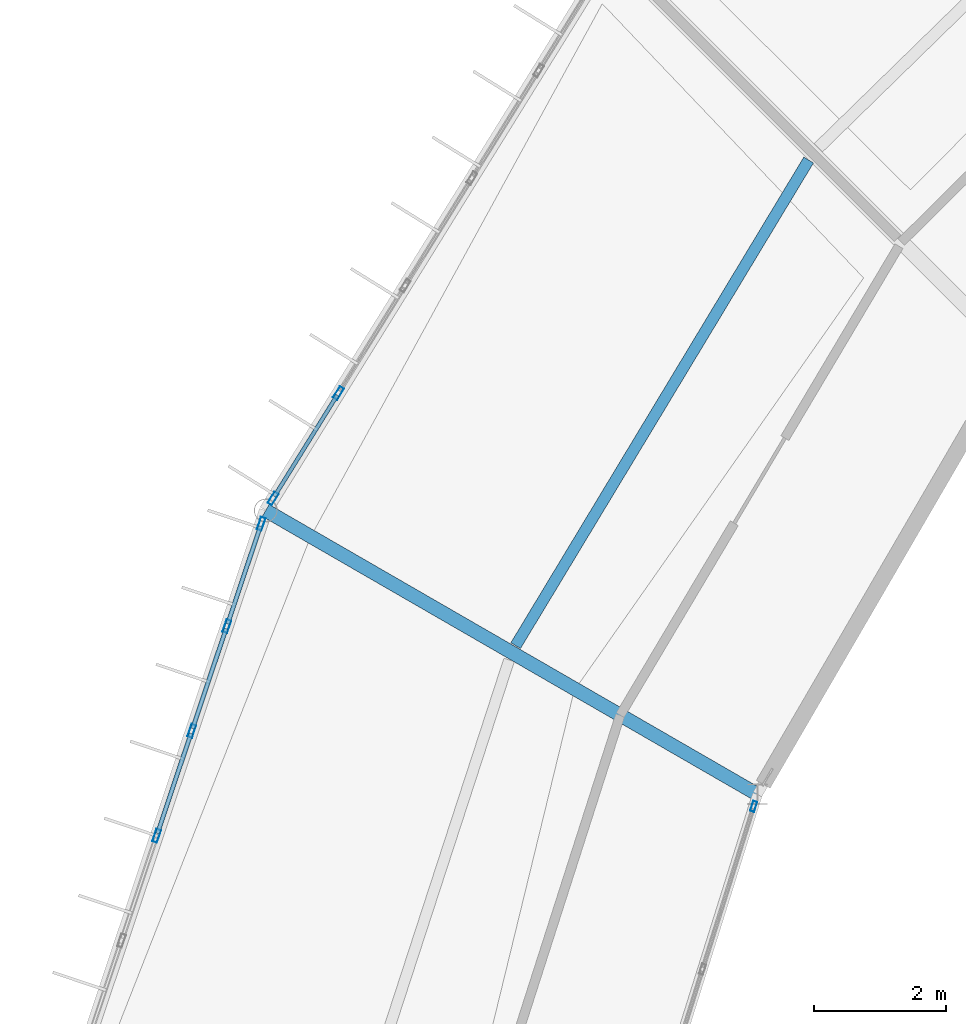
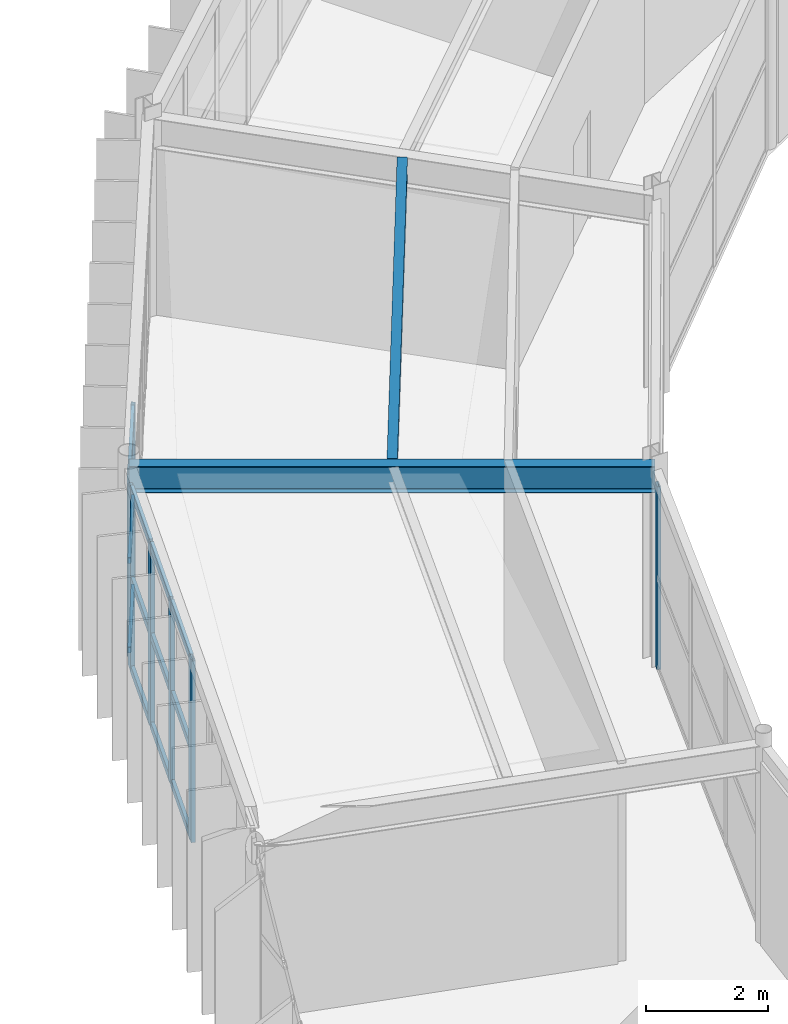
# One storey, part 73 of 147: 19 members, 2 beams, 3 elements without a shape of their own.
"""IFC4 building model written with IfcOpenShell, lengths in metres."""

from ifc_helpers import new_model, si_unit, direction, frame, origin, origin_2d, place, context, subcontext, project, spatial, hollow_rectangle, i_section, extrude, material, material_profile, profile_set, type_object, element, aggregate, save


model = new_model("IFC4")

# Units and contexts
model_context = context("Model", 3, precision=1e-05, world=origin(), true_north=direction((0.0, 1.0)))
body_context = subcontext(model_context, "Body", "Model", "MODEL_VIEW")
ifc_project = project(units=[si_unit("LENGTHUNIT", "METRE"), si_unit("AREAUNIT", "SQUARE_METRE"), si_unit("VOLUMEUNIT", "CUBIC_METRE"), si_unit("PLANEANGLEUNIT", "RADIAN"), si_unit("MASSUNIT", "GRAM", prefix="KILO")], contexts=[model_context])

# Site, building, storey
site_placement = place(None, origin())
site = spatial("IfcSite", under=ifc_project, at=site_placement, CompositionType="ELEMENT")
building_placement = place(site_placement, origin())
building = spatial("IfcBuilding", under=site, at=building_placement, Name="Karori Crest Natural Sciences Institute", CompositionType="ELEMENT")
storey_placement = place(building_placement, frame((0.0, 0.0, 9.10009765625)))
storey = spatial("IfcBuildingStorey", under=building, at=storey_placement, Name="L02", CompositionType="ELEMENT", Elevation=9.10009765625)

# Beams
ifc_material_1 = material(Name="Structural steel AS/NZS 3679.1 Grade 350", Category="steel")
ifc_material_profile_1 = material_profile(ifc_material_1, i_section(OverallWidth=0.208984375, OverallDepth=0.532958984375, WebThickness=0.01025390625, FlangeThickness=0.015625, FilletRadius=0.013916015625, at=origin_2d()), Name="530UB92.4")
ifc_profile_set_1 = profile_set([ifc_material_profile_1], Name="Structural steel AS/NZS 3679.1 Grade 350")
beam_type_1 = type_object("IfcBeamType", Name="BT-05", PredefinedType="BEAM", material=ifc_profile_set_1)
beam_1_placement = place(storey_placement, frame((45.26904296875, 66.0, 3.67333984375), z_axis=(-0.866021068297, 0.500007509209, 0.0), x_axis=(-0.500007509209, -0.866021068297, 0.0)))
element("IfcBeam", 1, at=beam_1_placement, inside=storey, type_object=beam_type_1, Name="Beam B-0311", PredefinedType="BEAM", context=body_context, shape_type="SweptSolid", body=[
    extrude(i_section(OverallWidth=0.208984375, OverallDepth=0.532958984375, WebThickness=0.01025390625, FlangeThickness=0.015625, FilletRadius=0.013916015625, at=origin_2d()), origin(), (0.0, 0.0, 1.0), 8.599853515625),
])
ifc_material_profile_2 = material_profile(ifc_material_1, i_section(OverallWidth=0.1708984375, OverallDepth=0.35595703125, WebThickness=0.00732421875, FlangeThickness=0.011474609375, FilletRadius=0.010986328125, at=origin_2d()), Name="360UB50.7")
ifc_profile_set_2 = profile_set([ifc_material_profile_2], Name="Structural steel AS/NZS 3679.1 Grade 350")
beam_type_2 = type_object("IfcBeamType", Name="BT-30", PredefinedType="BEAM", material=ifc_profile_set_2)
beam_2_placement = place(storey_placement, frame((46.044189453125, 75.606689453125, 3.761962890625), z_axis=(-0.516601017309, -0.856226248672, 0.0), x_axis=(0.856226248672, -0.516601017309, 0.0)))
element("IfcBeam", 2, at=beam_2_placement, inside=storey, type_object=beam_type_2, Name="Beam B-0308", PredefinedType="BEAM", context=body_context, shape_type="SweptSolid", body=[
    extrude(i_section(OverallWidth=0.1708984375, OverallDepth=0.35595703125, WebThickness=0.00732421875, FlangeThickness=0.011474609375, FilletRadius=0.010986328125, at=origin_2d()), origin(), (0.0, 0.0, 1.0), 8.5888671875),
])

# Curtain wall, member
ifc_material_2 = material(Name="Anodised architectural aluminium 6063-T6", Category="aluminium")
curtain_wall_type_1 = type_object("IfcCurtainWallType", Name="CWT-11", PredefinedType="NOTDEFINED", material=ifc_material_2)
curtain_wall_1_placement = place(storey_placement, origin())
curtain_wall_1 = element("IfcCurtainWall", 3, at=curtain_wall_1_placement, inside=storey, type_object=curtain_wall_type_1, Name="Curtain wall CW-0081", PredefinedType="NOTDEFINED")
ifc_material_profile_3 = material_profile(ifc_material_2, hollow_rectangle(XDim=0.06494140625, YDim=0.159912109375, WallThickness=0.00390625, at=origin_2d()), Name="CWM160x65x4")
ifc_profile_set_3 = profile_set([ifc_material_profile_3], Name="Anodised architectural aluminium 6063-T6")
member_type_1 = type_object("IfcMemberType", Name="CWM-01", PredefinedType="MULLION", material=ifc_profile_set_3)
member_1_placement = place(storey_placement, frame((45.211669921875, 65.81689453125, 0.0), z_axis=(0.0, 0.0, 1.0), x_axis=(0.954103649609, -0.2994765864, 0.0)))
member_1 = element("IfcMember", 4, at=member_1_placement, type_object=member_type_1, Name="CW-0081 mullion 1", PredefinedType="MULLION", context=body_context, shape_type="SweptSolid", body=[
    extrude(hollow_rectangle(XDim=0.06494140625, YDim=0.159912109375, WallThickness=0.00390625, at=origin_2d()), origin(), (0.0, 0.0, 1.0), 3.64990234375),
])
aggregate(curtain_wall_1, [member_1])

# Curtain wall, members
curtain_wall_type_2 = type_object("IfcCurtainWallType", Name="CWT-10", PredefinedType="NOTDEFINED", material=ifc_material_2)
curtain_wall_2_placement = place(storey_placement, origin())
curtain_wall_2 = element("IfcCurtainWall", 5, at=curtain_wall_2_placement, inside=storey, type_object=curtain_wall_type_2, Name="Curtain wall CW-0079", PredefinedType="NOTDEFINED")
ifc_material_profile_4 = material_profile(ifc_material_2, hollow_rectangle(XDim=0.074951171875, YDim=0.199951171875, WallThickness=0.0048828125, at=origin_2d()), Name="CWM200x75x5")
ifc_profile_set_4 = profile_set([ifc_material_profile_4], Name="Anodised architectural aluminium 6063-T6")
member_type_2 = type_object("IfcMemberType", Name="CWM-02", PredefinedType="MULLION", material=ifc_profile_set_4)
member_2_placement = place(storey_placement, frame((37.93359375, 70.481201171875, 0.0), z_axis=(0.0, 0.0, 1.0), x_axis=(-0.849662102168, 0.527327518853, 0.0)))
member_2 = element("IfcMember", 6, at=member_2_placement, type_object=member_type_2, Name="CW-0079 mullion 1", PredefinedType="MULLION", context=body_context, shape_type="SweptSolid", body=[
    extrude(hollow_rectangle(XDim=0.074951171875, YDim=0.199951171875, WallThickness=0.0048828125, at=origin_2d()), origin(), (0.0, 0.0, 1.0), 3.625),
])
member_3_placement = place(storey_placement, frame((38.924072265625, 72.0771484375, 0.0), z_axis=(0.0, 0.0, 1.0), x_axis=(-0.849662102168, 0.527327518853, 0.0)))
member_3 = element("IfcMember", 7, at=member_3_placement, type_object=member_type_2, Name="CW-0079 mullion 2", PredefinedType="MULLION", context=body_context, shape_type="SweptSolid", body=[
    extrude(hollow_rectangle(XDim=0.074951171875, YDim=0.199951171875, WallThickness=0.0048828125, at=origin_2d()), origin(), (0.0, 0.0, 1.0), 3.625),
])

curtain_wall_type_3 = type_object("IfcCurtainWallType", Name="CWT-01", PredefinedType="NOTDEFINED", material=ifc_material_2)
curtain_wall_3_placement = place(storey_placement, origin())
curtain_wall_3 = element("IfcCurtainWall", 8, at=curtain_wall_3_placement, inside=storey, type_object=curtain_wall_type_3, Name="Curtain wall CW-0080", PredefinedType="NOTDEFINED")
member_4_placement = place(storey_placement, frame((36.17041015625, 65.372314453125, 0.0), z_axis=(0.0, 0.0, 1.0), x_axis=(-0.948196219586, 0.317685267462, 0.0)))
member_4 = element("IfcMember", 9, at=member_4_placement, type_object=member_type_2, Name="CW-0080 mullion 4", PredefinedType="MULLION", context=body_context, shape_type="SweptSolid", body=[
    extrude(hollow_rectangle(XDim=0.074951171875, YDim=0.199951171875, WallThickness=0.0048828125, at=origin_2d()), origin(), (0.0, 0.0, 1.0), 3.625),
])
member_5_placement = place(storey_placement, frame((36.701904296875, 66.95947265625, 0.0), z_axis=(0.0, 0.0, 1.0), x_axis=(-0.948196219586, 0.317685267462, 0.0)))
member_5 = element("IfcMember", 10, at=member_5_placement, type_object=member_type_2, Name="CW-0080 mullion 5", PredefinedType="MULLION", context=body_context, shape_type="SweptSolid", body=[
    extrude(hollow_rectangle(XDim=0.074951171875, YDim=0.199951171875, WallThickness=0.0048828125, at=origin_2d()), origin(), (0.0, 0.0, 1.0), 3.625),
])
member_6_placement = place(storey_placement, frame((37.233642578125, 68.54638671875, 0.0), z_axis=(0.0, 0.0, 1.0), x_axis=(-0.948196219586, 0.317685267462, 0.0)))
member_6 = element("IfcMember", 11, at=member_6_placement, type_object=member_type_2, Name="CW-0080 mullion 6", PredefinedType="MULLION", context=body_context, shape_type="SweptSolid", body=[
    extrude(hollow_rectangle(XDim=0.074951171875, YDim=0.199951171875, WallThickness=0.0048828125, at=origin_2d()), origin(), (0.0, 0.0, 1.0), 3.625),
])
member_7_placement = place(storey_placement, frame((37.75341796875, 70.09765625, 0.0), z_axis=(0.0, 0.0, 1.0), x_axis=(-0.948196219586, 0.317685267462, 0.0)))
member_7 = element("IfcMember", 12, at=member_7_placement, type_object=member_type_2, Name="CW-0080 mullion 7", PredefinedType="MULLION", context=body_context, shape_type="SweptSolid", body=[
    extrude(hollow_rectangle(XDim=0.074951171875, YDim=0.199951171875, WallThickness=0.0048828125, at=origin_2d()), origin(), (0.0, 0.0, 1.0), 3.625),
])

# Member
ifc_material_profile_5 = material_profile(ifc_material_2, hollow_rectangle(XDim=0.06005859375, YDim=0.1201171875, WallThickness=0.00390625, at=origin_2d()), Name="CWT120x60x4")
ifc_profile_set_5 = profile_set([ifc_material_profile_5], Name="Anodised architectural aluminium 6063-T6")
member_type_3 = type_object("IfcMemberType", Name="CWT-TR1", PredefinedType="USERDEFINED", material=ifc_profile_set_5)
member_8_placement = place(storey_placement, frame((37.953369140625, 70.51318359375, 0.02978515625), z_axis=(0.527319050253, 0.849667357994, 0.0), x_axis=(-0.849667357994, 0.527319050253, 0.0)))
member_8 = element("IfcMember", 13, at=member_8_placement, type_object=member_type_3, Name="CW-0079 transom 1.1", ObjectType="TRANSOM", PredefinedType="USERDEFINED", context=body_context, shape_type="SweptSolid", body=[
    extrude(hollow_rectangle(XDim=0.06005859375, YDim=0.1201171875, WallThickness=0.00390625, at=origin_2d()), origin(), (0.0, 0.0, 1.0), 1.80322265625),
])

member_9_placement = place(storey_placement, frame((37.953369140625, 70.51318359375, 1.8125), z_axis=(0.527319050253, 0.849667357994, 0.0), x_axis=(-0.849667357994, 0.527319050253, 0.0)))
member_9 = element("IfcMember", 14, at=member_9_placement, type_object=member_type_3, Name="CW-0079 transom 1.2", ObjectType="TRANSOM", PredefinedType="USERDEFINED", context=body_context, shape_type="SweptSolid", body=[
    extrude(hollow_rectangle(XDim=0.06005859375, YDim=0.1201171875, WallThickness=0.00390625, at=origin_2d()), origin(), (0.0, 0.0, 1.0), 1.80322265625),
])

member_10_placement = place(storey_placement, frame((37.953369140625, 70.51318359375, 3.594970703125), z_axis=(0.527319050253, 0.849667357994, 0.0), x_axis=(-0.849667357994, 0.527319050253, 0.0)))
member_10 = element("IfcMember", 15, at=member_10_placement, type_object=member_type_3, Name="CW-0079 transom 1.3", ObjectType="TRANSOM", PredefinedType="USERDEFINED", context=body_context, shape_type="SweptSolid", body=[
    extrude(hollow_rectangle(XDim=0.06005859375, YDim=0.1201171875, WallThickness=0.00390625, at=origin_2d()), origin(), (0.0, 0.0, 1.0), 1.80322265625),
])

aggregate(curtain_wall_2, [member_2, member_3, member_8, member_9, member_10])

ifc_material_profile_6 = material_profile(ifc_material_2, hollow_rectangle(XDim=0.06494140625, YDim=0.14990234375, WallThickness=0.00390625, at=origin_2d()), Name="CWT150x65x4")
ifc_profile_set_6 = profile_set([ifc_material_profile_6], Name="Anodised architectural aluminium 6063-T6")
member_type_4 = type_object("IfcMemberType", Name="CWT-TR2", PredefinedType="USERDEFINED", material=ifc_profile_set_6)
member_11_placement = place(storey_placement, frame((36.18212890625, 65.407958984375, 0.032470703125), z_axis=(0.317784959476, 0.948162812776, 0.0), x_axis=(-0.948162812776, 0.317784959476, 0.0)))
member_11 = element("IfcMember", 16, at=member_11_placement, type_object=member_type_4, Name="CW-0080 transom 4.1", ObjectType="TRANSOM", PredefinedType="USERDEFINED", context=body_context, shape_type="SweptSolid", body=[
    extrude(hollow_rectangle(XDim=0.06494140625, YDim=0.14990234375, WallThickness=0.00390625, at=origin_2d()), origin(), (0.0, 0.0, 1.0), 1.5986328125),
])

member_12_placement = place(storey_placement, frame((36.18212890625, 65.407958984375, 1.8125), z_axis=(0.317784959476, 0.948162812776, 0.0), x_axis=(-0.948162812776, 0.317784959476, 0.0)))
member_12 = element("IfcMember", 17, at=member_12_placement, type_object=member_type_4, Name="CW-0080 transom 4.2", ObjectType="TRANSOM", PredefinedType="USERDEFINED", context=body_context, shape_type="SweptSolid", body=[
    extrude(hollow_rectangle(XDim=0.06494140625, YDim=0.14990234375, WallThickness=0.00390625, at=origin_2d()), origin(), (0.0, 0.0, 1.0), 1.5986328125),
])

member_13_placement = place(storey_placement, frame((36.18212890625, 65.407958984375, 3.59228515625), z_axis=(0.317784959476, 0.948162812776, 0.0), x_axis=(-0.948162812776, 0.317784959476, 0.0)))
member_13 = element("IfcMember", 18, at=member_13_placement, type_object=member_type_4, Name="CW-0080 transom 4.3", ObjectType="TRANSOM", PredefinedType="USERDEFINED", context=body_context, shape_type="SweptSolid", body=[
    extrude(hollow_rectangle(XDim=0.06494140625, YDim=0.14990234375, WallThickness=0.00390625, at=origin_2d()), origin(), (0.0, 0.0, 1.0), 1.5986328125),
])

member_14_placement = place(storey_placement, frame((36.7138671875, 66.994873046875, 0.032470703125), z_axis=(0.317647663217, 0.948208817747, 0.0), x_axis=(-0.948208817747, 0.317647663217, 0.0)))
member_14 = element("IfcMember", 19, at=member_14_placement, type_object=member_type_4, Name="CW-0080 transom 5.1", ObjectType="TRANSOM", PredefinedType="USERDEFINED", context=body_context, shape_type="SweptSolid", body=[
    extrude(hollow_rectangle(XDim=0.06494140625, YDim=0.14990234375, WallThickness=0.00390625, at=origin_2d()), origin(), (0.0, 0.0, 1.0), 1.5986328125),
])

member_15_placement = place(storey_placement, frame((36.7138671875, 66.994873046875, 1.8125), z_axis=(0.317647663217, 0.948208817747, 0.0), x_axis=(-0.948208817747, 0.317647663217, 0.0)))
member_15 = element("IfcMember", 20, at=member_15_placement, type_object=member_type_4, Name="CW-0080 transom 5.2", ObjectType="TRANSOM", PredefinedType="USERDEFINED", context=body_context, shape_type="SweptSolid", body=[
    extrude(hollow_rectangle(XDim=0.06494140625, YDim=0.14990234375, WallThickness=0.00390625, at=origin_2d()), origin(), (0.0, 0.0, 1.0), 1.5986328125),
])

member_16_placement = place(storey_placement, frame((36.7138671875, 66.994873046875, 3.59228515625), z_axis=(0.317647663217, 0.948208817747, 0.0), x_axis=(-0.948208817747, 0.317647663217, 0.0)))
member_16 = element("IfcMember", 21, at=member_16_placement, type_object=member_type_4, Name="CW-0080 transom 5.3", ObjectType="TRANSOM", PredefinedType="USERDEFINED", context=body_context, shape_type="SweptSolid", body=[
    extrude(hollow_rectangle(XDim=0.06494140625, YDim=0.14990234375, WallThickness=0.00390625, at=origin_2d()), origin(), (0.0, 0.0, 1.0), 1.5986328125),
])

member_17_placement = place(storey_placement, frame((37.24560546875, 68.581787109375, 0.032470703125), z_axis=(0.317587861551, 0.948228849063, 0.0), x_axis=(-0.948228849063, 0.317587861551, 0.0)))
member_17 = element("IfcMember", 22, at=member_17_placement, type_object=member_type_4, Name="CW-0080 transom 6.1", ObjectType="TRANSOM", PredefinedType="USERDEFINED", context=body_context, shape_type="SweptSolid", body=[
    extrude(hollow_rectangle(XDim=0.06494140625, YDim=0.14990234375, WallThickness=0.00390625, at=origin_2d()), origin(), (0.0, 0.0, 1.0), 1.561279296875),
])

member_18_placement = place(storey_placement, frame((37.24560546875, 68.581787109375, 1.8125), z_axis=(0.317587861551, 0.948228849063, 0.0), x_axis=(-0.948228849063, 0.317587861551, 0.0)))
member_18 = element("IfcMember", 23, at=member_18_placement, type_object=member_type_4, Name="CW-0080 transom 6.2", ObjectType="TRANSOM", PredefinedType="USERDEFINED", context=body_context, shape_type="SweptSolid", body=[
    extrude(hollow_rectangle(XDim=0.06494140625, YDim=0.14990234375, WallThickness=0.00390625, at=origin_2d()), origin(), (0.0, 0.0, 1.0), 1.561279296875),
])

member_19_placement = place(storey_placement, frame((37.24560546875, 68.581787109375, 3.59228515625), z_axis=(0.317587861551, 0.948228849063, 0.0), x_axis=(-0.948228849063, 0.317587861551, 0.0)))
member_19 = element("IfcMember", 24, at=member_19_placement, type_object=member_type_4, Name="CW-0080 transom 6.3", ObjectType="TRANSOM", PredefinedType="USERDEFINED", context=body_context, shape_type="SweptSolid", body=[
    extrude(hollow_rectangle(XDim=0.06494140625, YDim=0.14990234375, WallThickness=0.00390625, at=origin_2d()), origin(), (0.0, 0.0, 1.0), 1.561279296875),
])

aggregate(curtain_wall_3, [member_4, member_5, member_6, member_7, member_11, member_12, member_13, member_14, member_15, member_16, member_17, member_18, member_19])

save(model, "model.ifc")
